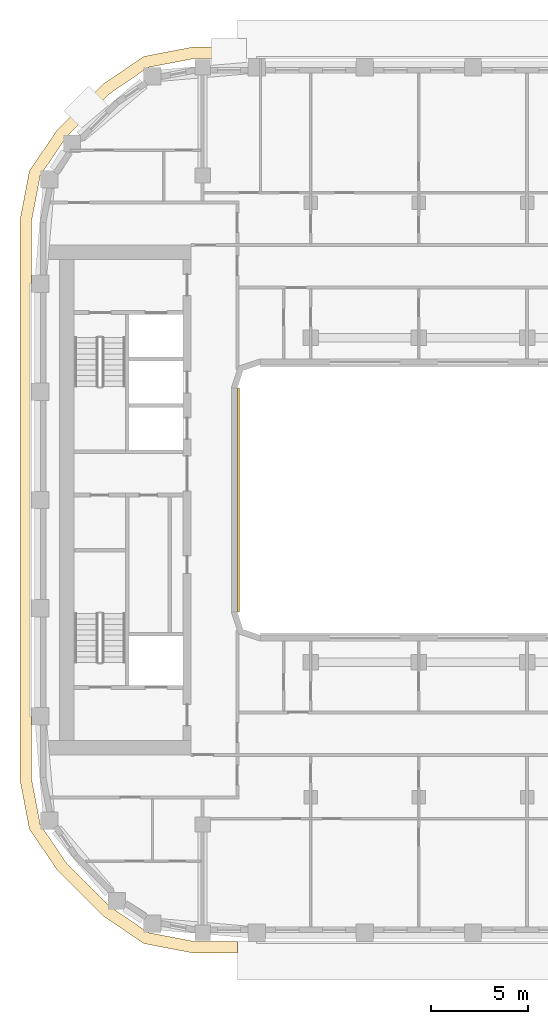
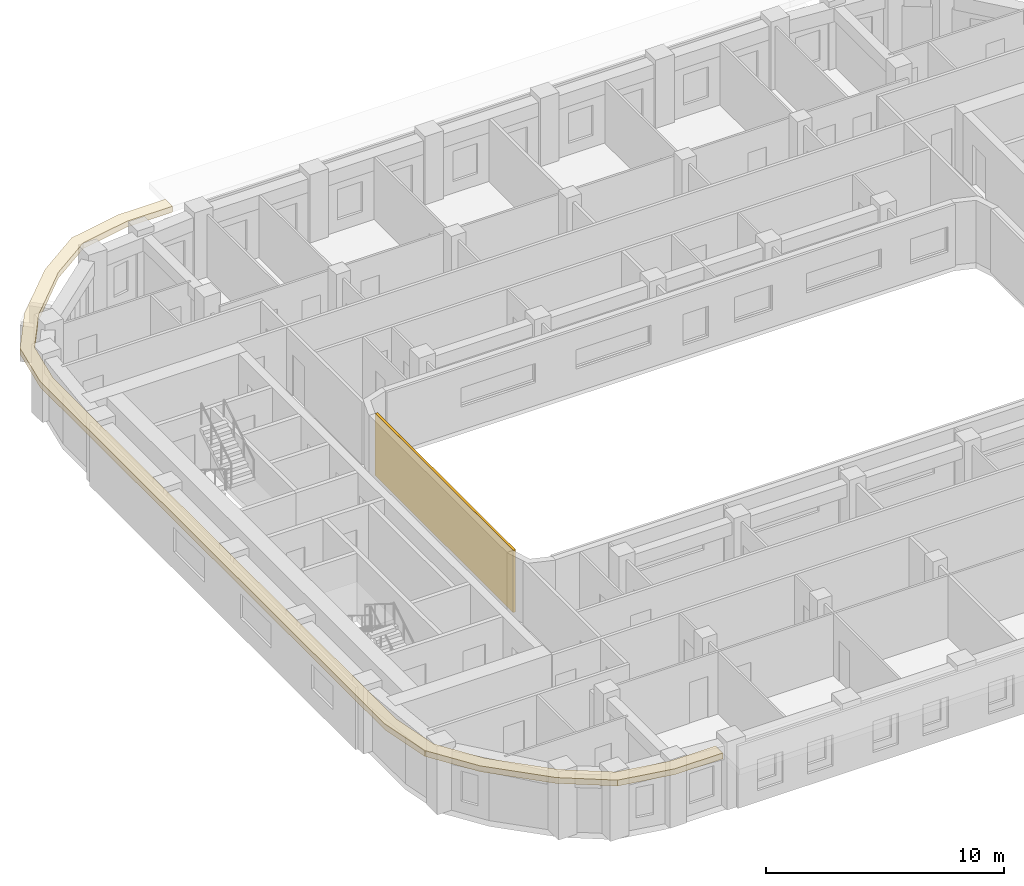
# One storey, part 13 of 21: 2 coverings.
"""IFC4 building model written with IfcOpenShell, lengths in metres."""

from ifc_helpers import new_model, si_unit, direction, frame, origin, place, context, subcontext, project, spatial, polyline, outline, extrude, material, layer, layer_set, type_object, element, save


model = new_model("IFC4")

# Units and contexts
model_context = context("Model", 3, precision=1e-05, world=origin(), true_north=direction((0.0, 1.0)))
body_context = subcontext(model_context, "Body", "Model", "MODEL_VIEW")
ifc_project = project(units=[si_unit("LENGTHUNIT", "METRE"), si_unit("AREAUNIT", "SQUARE_METRE"), si_unit("VOLUMEUNIT", "CUBIC_METRE"), si_unit("PLANEANGLEUNIT", "RADIAN"), si_unit("MASSUNIT", "GRAM", prefix="KILO")], contexts=[model_context])

# Site, building, storey
site_placement = place(None, origin())
site = spatial("IfcSite", under=ifc_project, at=site_placement, CompositionType="ELEMENT")
building_placement = place(site_placement, origin())
building = spatial("IfcBuilding", under=site, at=building_placement, Name="Kiln Ring Residences", CompositionType="ELEMENT")
storey_placement = place(building_placement, frame((0.0, 0.0, 199.39990234375)))
storey = spatial("IfcBuildingStorey", under=building, at=storey_placement, Name="L51", CompositionType="ELEMENT", Elevation=199.39990234375)

# Coverings
ifc_material_1 = material(Name="Brick masonry, dark clay brick", Category="masonry")
ifc_layer_1 = layer(ifc_material_1, 0.1201171875)
ifc_layer_set_1 = layer_set([ifc_layer_1], Name="RAINSCREEN PANEL 120")
covering_type_1 = type_object("IfcCoveringType", Name="RAINSCREEN PANEL 120", PredefinedType="CLADDING", material=ifc_layer_set_1)
covering_1_placement = place(storey_placement, frame((-14.93994140625, -5.800048828125, 0.0), z_axis=(0.0, 0.0, 1.0), x_axis=(0.0, 1.0, 0.0)))
element("IfcCovering", 1, at=covering_1_placement, inside=storey, type_object=covering_type_1, Name="RAINSCREEN L51", PredefinedType="CLADDING", context=body_context, shape_type="SweptSolid", body=[
    extrude(outline(polyline([(0.0, 0.0), (11.60009765625, 0.0), (11.60009765625, 3.2001953125), (0.0, 3.2001953125), (0.0, 0.0)])), frame((0.0, 0.06005859375, 0.0), z_axis=(0.0, -1.0, 0.0), x_axis=(1.0, 0.0, 0.0)), (0.0, 0.0, 1.0), 0.1201171875),
])
ifc_material_2 = material(Name="Black powder-coated steel", Category="steel")
ifc_layer_2 = layer(ifc_material_2, 0.300048828125)
ifc_layer_set_2 = layer_set([ifc_layer_2], Name="SUNSHADE FIN 600")
covering_type_2 = type_object("IfcCoveringType", Name="SUNSHADE FIN 600", PredefinedType="CLADDING", material=ifc_layer_set_2)
covering_2_placement = place(storey_placement, frame((0.0, 0.0, 3.2001953125)))
element("IfcCovering", 2, at=covering_2_placement, inside=storey, type_object=covering_type_2, Name="SUNSHADE FIN L51", PredefinedType="CLADDING", context=body_context, shape_type="SweptSolid", body=[
    extrude(outline(polyline([(-26.25, -14.499267578125), (-25.766357421875, -17.03466796875), (-24.315673828125, -19.169189453125), (-21.96923828125, -21.515625), (-19.834716796875, -22.96630859375), (-17.29931640625, -23.449951171875), (-15.0, -23.449951171875), (-15.0, -22.85009765625), (-17.242431640625, -22.85009765625), (-19.60009765625, -22.400390625), (-21.585205078125, -21.05126953125), (-23.851318359375, -18.78515625), (-25.2001953125, -16.800048828125), (-25.64990234375, -14.4423828125), (-25.64990234375, 14.4423828125), (-25.2001953125, 16.800048828125), (-23.851318359375, 18.78515625), (-21.585205078125, 21.05126953125), (-19.60009765625, 22.400390625), (-17.242431640625, 22.85009765625), (-15.0, 22.85009765625), (-15.0, 23.449951171875), (-17.29931640625, 23.449951171875), (-19.834716796875, 22.96630859375), (-21.96923828125, 21.515625), (-24.315673828125, 19.169189453125), (-25.766357421875, 17.03466796875), (-26.25, 14.499267578125), (-26.25, -14.499267578125)])), origin(), (0.0, 0.0, 1.0), 0.2998046875),
])

save(model, "model.ifc")
